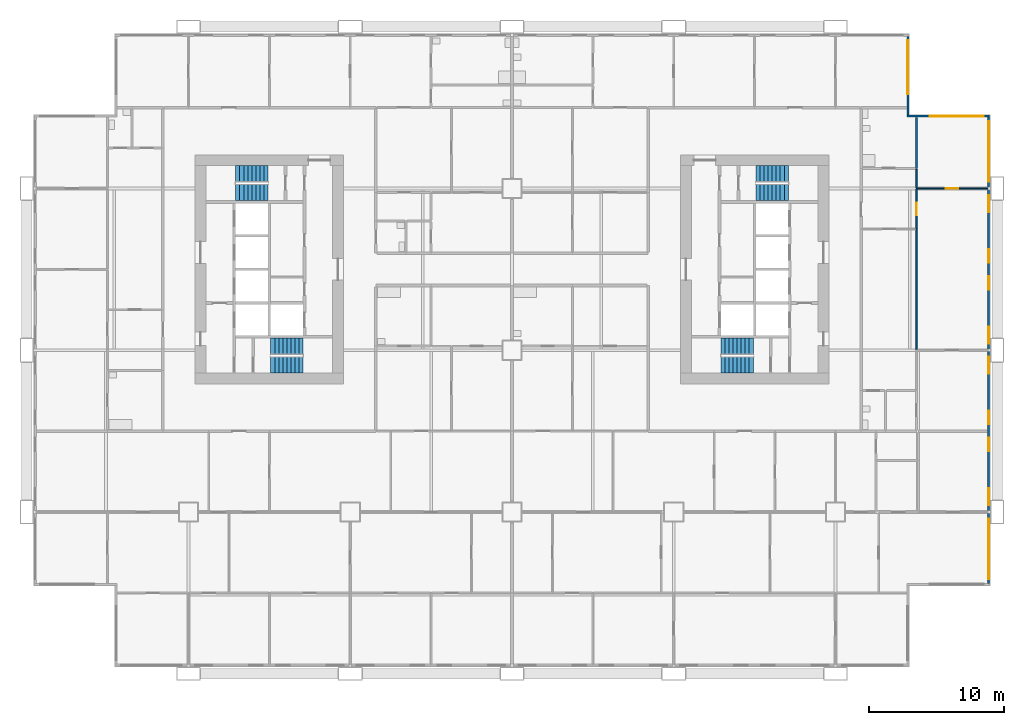
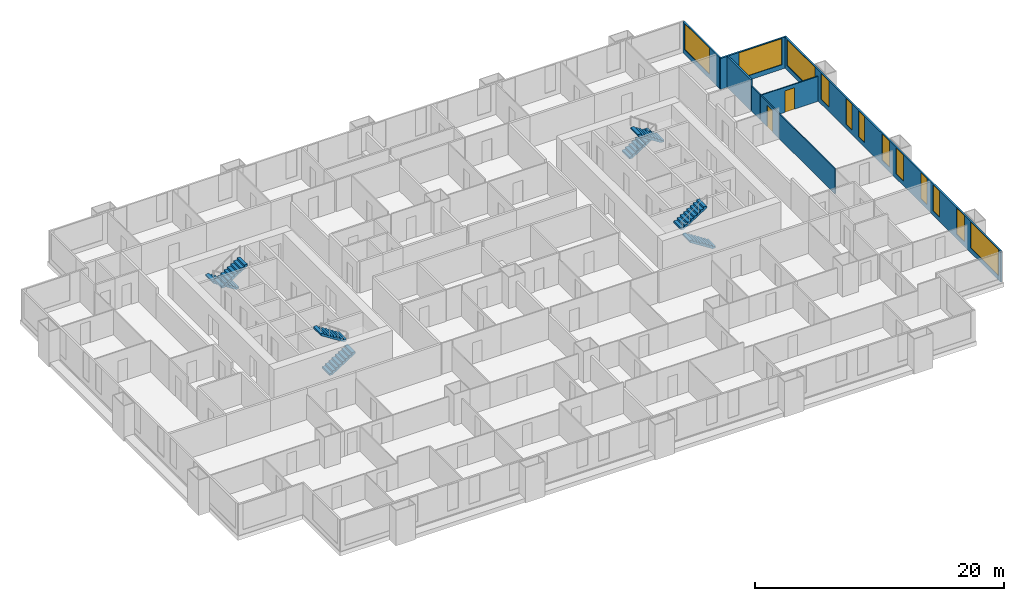
# One storey, part 12 of 14: 12 windows, 8 stair flights, 8 walls, 2 doors, 14 openings, 4 elements without a shape of their own.
"""IFC4 building model written with IfcOpenShell, lengths in metres."""

from ifc_helpers import new_model, si_unit, direction, frame, frame_2d, origin, place, context, subcontext, project, spatial, polyline, rectangle, outline, extrude, material, layer, layer_set, type_object, element, fill, aggregate, save


model = new_model("IFC4")

# Units and contexts
model_context = context("Model", 3, precision=1e-05, world=origin(), true_north=direction((0.0, 1.0)))
body_context = subcontext(model_context, "Body", "Model", "MODEL_VIEW")
ifc_project = project(units=[si_unit("LENGTHUNIT", "METRE"), si_unit("AREAUNIT", "SQUARE_METRE"), si_unit("VOLUMEUNIT", "CUBIC_METRE"), si_unit("PLANEANGLEUNIT", "RADIAN"), si_unit("MASSUNIT", "GRAM", prefix="KILO")], contexts=[model_context])

# Site, building, storey
site_placement = place(None, origin())
site = spatial("IfcSite", under=ifc_project, at=site_placement, CompositionType="ELEMENT")
building_placement = place(site_placement, origin())
building = spatial("IfcBuilding", under=site, at=building_placement, Name="Kitamizu Gate Tower and Museum", CompositionType="ELEMENT")
storey_placement = place(building_placement, frame((0.0, 0.0, 33.449951171875)))
storey = spatial("IfcBuildingStorey", under=building, at=storey_placement, Name="L06", CompositionType="ELEMENT", Elevation=33.449951171875)

# Wall, opening, door
ifc_material_1 = material(Name="Gypsum board on galvanised stud")
ifc_layer_1 = layer(ifc_material_1, 0.10009765625)
ifc_layer_set_1 = layer_set([ifc_layer_1], Name="Gypsum board on galvanised stud")
wall_type_1 = type_object("IfcWallType", Name="Partition 100 NOT RATED", PredefinedType="PARTITIONING", material=ifc_layer_set_1)
wall_1_placement = place(storey_placement, frame((71.280029296875, 36.0, 0.0), z_axis=(0.0, 0.0, 1.0), x_axis=(-1.0, 0.0, 0.0)))
wall_1 = element("IfcWall", 1, at=wall_1_placement, inside=storey, type_object=wall_type_1, Name="Partition L06-129", PredefinedType="PARTITIONING", context=body_context, shape_type="SweptSolid", body=[
    extrude(rectangle(XDim=5.280029296875, YDim=0.10009765625, at=frame_2d((2.64013671875, 0.0))), origin(), (0.0, 0.0, 1.0), 2.449951171875),
])
opening_1_placement = place(wall_1_placement, frame((2.18994140625, 0.0, 0.0)))
opening_1 = element("IfcOpeningElement", 2, at=opening_1_placement, cuts=wall_1, Name="Opening L06-053", PredefinedType="OPENING", context=body_context, shape_type="SweptSolid", body=[
    extrude(rectangle(XDim=0.89990234375, YDim=2.10009765625, at=frame_2d((0.449951171875, 1.050048828125))), frame((0.0, 0.06005859375, 0.0), z_axis=(0.0, -1.0, 0.0), x_axis=(1.0, 0.0, 0.0)), (0.0, 0.0, 1.0), 0.1201171875),
])
ifc_material_2 = material(Name="Timber door set", Category="wood")
door_type = type_object("IfcDoorType", Name="Room door 900", OperationType="NOTDEFINED", PredefinedType="DOOR", material=ifc_material_2)
door_1_placement = place(opening_1_placement, frame((0.89990234375, 0.0, 0.0), x_axis=(-1.0, 0.0, 0.0)))
door_1 = element("IfcDoor", 3, at=door_1_placement, inside=storey, type_object=door_type, Name="Door L06-053", OperationType="SINGLE_SWING_RIGHT", OverallHeight=2.10009765625, OverallWidth=0.89990234375, PredefinedType="DOOR", context=body_context, shape_type="SweptSolid", body=[
    extrude(rectangle(XDim=0.89990234375, YDim=2.10009765625, at=frame_2d((0.449951171875, 1.050048828125))), frame((0.0, 0.02490234375, 0.0), z_axis=(0.0, -1.0, 0.0), x_axis=(1.0, 0.0, 0.0)), (0.0, 0.0, 1.0), 0.050048828125),
])
fill(opening_1, door_1)

# Wall
wall_2_placement = place(storey_placement, frame((66.0, 33.0, 0.0), z_axis=(0.0, 0.0, 1.0), x_axis=(0.0, -1.0, 0.0)))
element("IfcWall", 4, at=wall_2_placement, inside=storey, type_object=wall_type_1, Name="Partition L06-130", PredefinedType="PARTITIONING", context=body_context, shape_type="SweptSolid", body=[
    extrude(rectangle(XDim=8.949951171875, YDim=0.10009765625, at=frame_2d((4.47509765625, 0.0))), origin(), (0.0, 0.0, 1.0), 2.449951171875),
])

# Wall, opening, door
wall_3_placement = place(storey_placement, frame((66.0, 35.949951171875, 0.0), z_axis=(0.0, 0.0, 1.0), x_axis=(0.0, -1.0, 0.0)))
wall_3 = element("IfcWall", 5, at=wall_3_placement, inside=storey, type_object=wall_type_1, Name="Partition L06-131", PredefinedType="PARTITIONING", context=body_context, shape_type="SweptSolid", body=[
    extrude(rectangle(XDim=2.949951171875, YDim=0.10009765625, at=frame_2d((1.47509765625, 0.0))), origin(), (0.0, 0.0, 1.0), 2.449951171875),
])
opening_2_placement = place(wall_3_placement, frame((1.02490234375, 0.0, 0.0)))
opening_2 = element("IfcOpeningElement", 6, at=opening_2_placement, cuts=wall_3, Name="Opening L06-049", PredefinedType="OPENING", context=body_context, shape_type="SweptSolid", body=[
    extrude(rectangle(XDim=0.89990234375, YDim=2.10009765625, at=frame_2d((0.449951171875, 1.050048828125))), frame((0.0, 0.06005859375, 0.0), z_axis=(0.0, -1.0, 0.0), x_axis=(1.0, 0.0, 0.0)), (0.0, 0.0, 1.0), 0.1201171875),
])
door_2_placement = place(opening_2_placement, origin())
door_2 = element("IfcDoor", 7, at=door_2_placement, inside=storey, type_object=door_type, Name="Door L06-049", OperationType="SINGLE_SWING_RIGHT", OverallHeight=2.10009765625, OverallWidth=0.89990234375, PredefinedType="DOOR", context=body_context, shape_type="SweptSolid", body=[
    extrude(rectangle(XDim=0.89990234375, YDim=2.10009765625, at=frame_2d((0.449951171875, 1.050048828125))), frame((0.0, 0.02490234375, 0.0), z_axis=(0.0, -1.0, 0.0), x_axis=(1.0, 0.0, 0.0)), (0.0, 0.0, 1.0), 0.050048828125),
])
fill(opening_2, door_2)

# Walls
wall_4_placement = place(storey_placement, frame((66.0, 37.425048828125, 0.0), z_axis=(0.0, 0.0, 1.0), x_axis=(0.0, -1.0, 0.0)))
element("IfcWall", 8, at=wall_4_placement, inside=storey, type_object=wall_type_1, Name="Partition L06-132", PredefinedType="PARTITIONING", context=body_context, shape_type="SweptSolid", body=[
    extrude(rectangle(XDim=1.375, YDim=0.10009765625, at=frame_2d((0.6875, 0.0))), origin(), (0.0, 0.0, 1.0), 2.449951171875),
])
ifc_material_3 = material(Name="Gypsum board on galvanised stud")
ifc_layer_2 = layer(ifc_material_3, 0.14990234375)
ifc_layer_set_2 = layer_set([ifc_layer_2], Name="Gypsum board on galvanised stud")
wall_type_2 = type_object("IfcWallType", Name="Partition 150", PredefinedType="PARTITIONING", material=ifc_layer_set_2)
wall_5_placement = place(storey_placement, frame((66.0, 41.280029296875, 0.0), z_axis=(0.0, 0.0, 1.0), x_axis=(0.0, -1.0, 0.0)))
element("IfcWall", 9, at=wall_5_placement, inside=storey, type_object=wall_type_2, Name="Partition L06-133", PredefinedType="PARTITIONING", context=body_context, shape_type="SweptSolid", body=[
    extrude(rectangle(XDim=3.780029296875, YDim=0.14990234375, at=frame_2d((1.89013671875, 0.0))), origin(), (0.0, 0.0, 1.0), 3.050048828125),
])

# Wall, openings, windows
ifc_material_4 = material(Name="Bronze anodised aluminium frame with insulated spandrel and tinted glass", Category="aluminium")
ifc_layer_3 = layer(ifc_material_4, 0.14990234375)
ifc_layer_set_3 = layer_set([ifc_layer_3], Name="Bronze anodised aluminium frame with insulated spandrel and tinted glass")
wall_type_3 = type_object("IfcWallType", Name="WINDOW WALL 150 BRONZE FRAME EI 30", PredefinedType="ELEMENTEDWALL", material=ifc_layer_set_3)
wall_6_placement = place(storey_placement, frame((71.364990234375, 6.7099609375, 0.0), z_axis=(0.0, 0.0, 1.0), x_axis=(0.0, 1.0, 0.0)))
wall_6 = element("IfcWall", 10, at=wall_6_placement, inside=storey, type_object=wall_type_3, Name="Window wall east L06", PredefinedType="ELEMENTEDWALL", context=body_context, shape_type="SweptSolid", body=[
    extrude(rectangle(XDim=34.580078125, YDim=0.14990234375, at=frame_2d((17.2900390625, 0.0))), origin(), (0.0, 0.0, 1.0), 3.050048828125),
])
opening_3_placement = place(wall_6_placement, frame((0.2900390625, 0.0, 0.449951171875)))
opening_3 = element("IfcOpeningElement", 11, at=opening_3_placement, cuts=wall_6, Name="Opening W15", PredefinedType="OPENING", context=body_context, shape_type="SweptSolid", body=[
    extrude(rectangle(XDim=4.5, YDim=2.550048828125, at=frame_2d((2.25, 1.27490234375))), frame((0.0, 0.0849609375, 0.0), z_axis=(0.0, -1.0, 0.0), x_axis=(1.0, 0.0, 0.0)), (0.0, 0.0, 1.0), 0.169921875),
])
opening_4_placement = place(wall_6_placement, frame((5.7900390625, 0.0, 0.449951171875)))
opening_4 = element("IfcOpeningElement", 12, at=opening_4_placement, cuts=wall_6, Name="Opening W27", PredefinedType="OPENING", context=body_context, shape_type="SweptSolid", body=[
    extrude(rectangle(XDim=1.25, YDim=2.550048828125, at=frame_2d((0.625, 1.27490234375))), frame((0.0, 0.0849609375, 0.0), z_axis=(0.0, -1.0, 0.0), x_axis=(1.0, 0.0, 0.0)), (0.0, 0.0, 1.0), 0.169921875),
])
opening_5_placement = place(wall_6_placement, frame((9.7900390625, 0.0, 0.449951171875)))
opening_5 = element("IfcOpeningElement", 13, at=opening_5_placement, cuts=wall_6, Name="Opening W26", PredefinedType="OPENING", context=body_context, shape_type="SweptSolid", body=[
    extrude(rectangle(XDim=1.0, YDim=2.550048828125, at=frame_2d((0.5, 1.27490234375))), frame((0.0, 0.0849609375, 0.0), z_axis=(0.0, -1.0, 0.0), x_axis=(1.0, 0.0, 0.0)), (0.0, 0.0, 1.0), 0.169921875),
])
opening_6_placement = place(wall_6_placement, frame((11.7900390625, 0.0, 0.449951171875)))
opening_6 = element("IfcOpeningElement", 14, at=opening_6_placement, cuts=wall_6, Name="Opening W26", PredefinedType="OPENING", context=body_context, shape_type="SweptSolid", body=[
    extrude(rectangle(XDim=1.0, YDim=2.550048828125, at=frame_2d((0.5, 1.27490234375))), frame((0.0, 0.0849609375, 0.0), z_axis=(0.0, -1.0, 0.0), x_axis=(1.0, 0.0, 0.0)), (0.0, 0.0, 1.0), 0.169921875),
])
opening_7_placement = place(wall_6_placement, frame((15.5400390625, 0.0, 0.449951171875)))
opening_7 = element("IfcOpeningElement", 15, at=opening_7_placement, cuts=wall_6, Name="Opening W27", PredefinedType="OPENING", context=body_context, shape_type="SweptSolid", body=[
    extrude(rectangle(XDim=1.25, YDim=2.550048828125, at=frame_2d((0.625, 1.27490234375))), frame((0.0, 0.0849609375, 0.0), z_axis=(0.0, -1.0, 0.0), x_axis=(1.0, 0.0, 0.0)), (0.0, 0.0, 1.0), 0.169921875),
])
opening_8_placement = place(wall_6_placement, frame((17.7900390625, 0.0, 0.449951171875)))
opening_8 = element("IfcOpeningElement", 16, at=opening_8_placement, cuts=wall_6, Name="Opening W27", PredefinedType="OPENING", context=body_context, shape_type="SweptSolid", body=[
    extrude(rectangle(XDim=1.25, YDim=2.550048828125, at=frame_2d((0.625, 1.27490234375))), frame((0.0, 0.0849609375, 0.0), z_axis=(0.0, -1.0, 0.0), x_axis=(1.0, 0.0, 0.0)), (0.0, 0.0, 1.0), 0.169921875),
])
opening_9_placement = place(wall_6_placement, frame((21.7900390625, 0.0, 0.449951171875)))
opening_9 = element("IfcOpeningElement", 17, at=opening_9_placement, cuts=wall_6, Name="Opening W26", PredefinedType="OPENING", context=body_context, shape_type="SweptSolid", body=[
    extrude(rectangle(XDim=1.0, YDim=2.550048828125, at=frame_2d((0.5, 1.27490234375))), frame((0.0, 0.0849609375, 0.0), z_axis=(0.0, -1.0, 0.0), x_axis=(1.0, 0.0, 0.0)), (0.0, 0.0, 1.0), 0.169921875),
])
opening_10_placement = place(wall_6_placement, frame((23.7900390625, 0.0, 0.449951171875)))
opening_10 = element("IfcOpeningElement", 18, at=opening_10_placement, cuts=wall_6, Name="Opening W26", PredefinedType="OPENING", context=body_context, shape_type="SweptSolid", body=[
    extrude(rectangle(XDim=1.0, YDim=2.550048828125, at=frame_2d((0.5, 1.27490234375))), frame((0.0, 0.0849609375, 0.0), z_axis=(0.0, -1.0, 0.0), x_axis=(1.0, 0.0, 0.0)), (0.0, 0.0, 1.0), 0.169921875),
])
opening_11_placement = place(wall_6_placement, frame((27.5400390625, 0.0, 0.449951171875)))
opening_11 = element("IfcOpeningElement", 19, at=opening_11_placement, cuts=wall_6, Name="Opening W27", PredefinedType="OPENING", context=body_context, shape_type="SweptSolid", body=[
    extrude(rectangle(XDim=1.25, YDim=2.550048828125, at=frame_2d((0.625, 1.27490234375))), frame((0.0, 0.0849609375, 0.0), z_axis=(0.0, -1.0, 0.0), x_axis=(1.0, 0.0, 0.0)), (0.0, 0.0, 1.0), 0.169921875),
])
opening_12_placement = place(wall_6_placement, frame((29.7900390625, 0.0, 0.449951171875)))
opening_12 = element("IfcOpeningElement", 20, at=opening_12_placement, cuts=wall_6, Name="Opening W15", PredefinedType="OPENING", context=body_context, shape_type="SweptSolid", body=[
    extrude(rectangle(XDim=4.5, YDim=2.550048828125, at=frame_2d((2.25, 1.27490234375))), frame((0.0, 0.0849609375, 0.0), z_axis=(0.0, -1.0, 0.0), x_axis=(1.0, 0.0, 0.0)), (0.0, 0.0, 1.0), 0.169921875),
])
ifc_material_5 = material(Name="Bronze anodised aluminium frame, tinted triple glazing", Category="aluminium")
window_type_1 = type_object("IfcWindowType", Name="WINDOW 1000 x 2550 SILL 450", PartitioningType="SINGLE_PANEL", PredefinedType="WINDOW", material=ifc_material_5)
window_1_placement = place(opening_5_placement, origin())
window_1 = element("IfcWindow", 21, at=window_1_placement, inside=storey, type_object=window_type_1, Name="Window W26 L06", OverallHeight=2.550048828125, OverallWidth=1.0, PartitioningType="SINGLE_PANEL", PredefinedType="WINDOW", context=body_context, shape_type="SweptSolid", body=[
    extrude(rectangle(XDim=1.0, YDim=2.550048828125, at=frame_2d((0.5, 1.27490234375))), frame((0.0, 0.030029296875, 0.0), z_axis=(0.0, -1.0, 0.0), x_axis=(1.0, 0.0, 0.0)), (0.0, 0.0, 1.0), 0.06005859375),
])
fill(opening_5, window_1)
window_2_placement = place(opening_6_placement, origin())
window_2 = element("IfcWindow", 22, at=window_2_placement, inside=storey, type_object=window_type_1, Name="Window W26 L06", OverallHeight=2.550048828125, OverallWidth=1.0, PartitioningType="SINGLE_PANEL", PredefinedType="WINDOW", context=body_context, shape_type="SweptSolid", body=[
    extrude(rectangle(XDim=1.0, YDim=2.550048828125, at=frame_2d((0.5, 1.27490234375))), frame((0.0, 0.030029296875, 0.0), z_axis=(0.0, -1.0, 0.0), x_axis=(1.0, 0.0, 0.0)), (0.0, 0.0, 1.0), 0.06005859375),
])
fill(opening_6, window_2)
window_3_placement = place(opening_9_placement, origin())
window_3 = element("IfcWindow", 23, at=window_3_placement, inside=storey, type_object=window_type_1, Name="Window W26 L06", OverallHeight=2.550048828125, OverallWidth=1.0, PartitioningType="SINGLE_PANEL", PredefinedType="WINDOW", context=body_context, shape_type="SweptSolid", body=[
    extrude(rectangle(XDim=1.0, YDim=2.550048828125, at=frame_2d((0.5, 1.27490234375))), frame((0.0, 0.030029296875, 0.0), z_axis=(0.0, -1.0, 0.0), x_axis=(1.0, 0.0, 0.0)), (0.0, 0.0, 1.0), 0.06005859375),
])
fill(opening_9, window_3)
window_4_placement = place(opening_10_placement, origin())
window_4 = element("IfcWindow", 24, at=window_4_placement, inside=storey, type_object=window_type_1, Name="Window W26 L06", OverallHeight=2.550048828125, OverallWidth=1.0, PartitioningType="SINGLE_PANEL", PredefinedType="WINDOW", context=body_context, shape_type="SweptSolid", body=[
    extrude(rectangle(XDim=1.0, YDim=2.550048828125, at=frame_2d((0.5, 1.27490234375))), frame((0.0, 0.030029296875, 0.0), z_axis=(0.0, -1.0, 0.0), x_axis=(1.0, 0.0, 0.0)), (0.0, 0.0, 1.0), 0.06005859375),
])
fill(opening_10, window_4)
ifc_material_6 = material(Name="Bronze anodised aluminium frame, tinted triple glazing", Category="aluminium")
window_type_2 = type_object("IfcWindowType", Name="WINDOW 1250 x 2550 SILL 450", PartitioningType="SINGLE_PANEL", PredefinedType="WINDOW", material=ifc_material_6)
window_5_placement = place(opening_4_placement, origin())
window_5 = element("IfcWindow", 25, at=window_5_placement, inside=storey, type_object=window_type_2, Name="Window W27 L06", OverallHeight=2.550048828125, OverallWidth=1.25, PartitioningType="SINGLE_PANEL", PredefinedType="WINDOW", context=body_context, shape_type="SweptSolid", body=[
    extrude(rectangle(XDim=1.25, YDim=2.550048828125, at=frame_2d((0.625, 1.27490234375))), frame((0.0, 0.030029296875, 0.0), z_axis=(0.0, -1.0, 0.0), x_axis=(1.0, 0.0, 0.0)), (0.0, 0.0, 1.0), 0.06005859375),
])
fill(opening_4, window_5)
window_6_placement = place(opening_7_placement, origin())
window_6 = element("IfcWindow", 26, at=window_6_placement, inside=storey, type_object=window_type_2, Name="Window W27 L06", OverallHeight=2.550048828125, OverallWidth=1.25, PartitioningType="SINGLE_PANEL", PredefinedType="WINDOW", context=body_context, shape_type="SweptSolid", body=[
    extrude(rectangle(XDim=1.25, YDim=2.550048828125, at=frame_2d((0.625, 1.27490234375))), frame((0.0, 0.030029296875, 0.0), z_axis=(0.0, -1.0, 0.0), x_axis=(1.0, 0.0, 0.0)), (0.0, 0.0, 1.0), 0.06005859375),
])
fill(opening_7, window_6)
window_7_placement = place(opening_8_placement, origin())
window_7 = element("IfcWindow", 27, at=window_7_placement, inside=storey, type_object=window_type_2, Name="Window W27 L06", OverallHeight=2.550048828125, OverallWidth=1.25, PartitioningType="SINGLE_PANEL", PredefinedType="WINDOW", context=body_context, shape_type="SweptSolid", body=[
    extrude(rectangle(XDim=1.25, YDim=2.550048828125, at=frame_2d((0.625, 1.27490234375))), frame((0.0, 0.030029296875, 0.0), z_axis=(0.0, -1.0, 0.0), x_axis=(1.0, 0.0, 0.0)), (0.0, 0.0, 1.0), 0.06005859375),
])
fill(opening_8, window_7)
window_8_placement = place(opening_11_placement, origin())
window_8 = element("IfcWindow", 28, at=window_8_placement, inside=storey, type_object=window_type_2, Name="Window W27 L06", OverallHeight=2.550048828125, OverallWidth=1.25, PartitioningType="SINGLE_PANEL", PredefinedType="WINDOW", context=body_context, shape_type="SweptSolid", body=[
    extrude(rectangle(XDim=1.25, YDim=2.550048828125, at=frame_2d((0.625, 1.27490234375))), frame((0.0, 0.030029296875, 0.0), z_axis=(0.0, -1.0, 0.0), x_axis=(1.0, 0.0, 0.0)), (0.0, 0.0, 1.0), 0.06005859375),
])
fill(opening_11, window_8)
ifc_material_7 = material(Name="Bronze anodised aluminium frame, tinted triple glazing", Category="aluminium")
window_type_3 = type_object("IfcWindowType", Name="WINDOW 4500 x 2550 SILL 450", PartitioningType="SINGLE_PANEL", PredefinedType="WINDOW", material=ifc_material_7)
window_9_placement = place(opening_3_placement, origin())
window_9 = element("IfcWindow", 29, at=window_9_placement, inside=storey, type_object=window_type_3, Name="Window W15 L06", OverallHeight=2.550048828125, OverallWidth=4.5, PartitioningType="SINGLE_PANEL", PredefinedType="WINDOW", context=body_context, shape_type="SweptSolid", body=[
    extrude(rectangle(XDim=4.5, YDim=2.550048828125, at=frame_2d((2.25, 1.27490234375))), frame((0.0, 0.030029296875, 0.0), z_axis=(0.0, -1.0, 0.0), x_axis=(1.0, 0.0, 0.0)), (0.0, 0.0, 1.0), 0.06005859375),
])
fill(opening_3, window_9)
window_10_placement = place(opening_12_placement, origin())
window_10 = element("IfcWindow", 30, at=window_10_placement, inside=storey, type_object=window_type_3, Name="Window W15 L06", OverallHeight=2.550048828125, OverallWidth=4.5, PartitioningType="SINGLE_PANEL", PredefinedType="WINDOW", context=body_context, shape_type="SweptSolid", body=[
    extrude(rectangle(XDim=4.5, YDim=2.550048828125, at=frame_2d((2.25, 1.27490234375))), frame((0.0, 0.030029296875, 0.0), z_axis=(0.0, -1.0, 0.0), x_axis=(1.0, 0.0, 0.0)), (0.0, 0.0, 1.0), 0.06005859375),
])
fill(opening_12, window_10)

# Wall, opening, window
wall_7_placement = place(storey_placement, frame((65.2900390625, 41.364990234375, 0.0), z_axis=(0.0, 0.0, 1.0), x_axis=(1.0, 0.0, 0.0)))
wall_7 = element("IfcWall", 31, at=wall_7_placement, inside=storey, type_object=wall_type_3, Name="Window wall north L06", PredefinedType="ELEMENTEDWALL", context=body_context, shape_type="SweptSolid", body=[
    extrude(rectangle(XDim=6.14990234375, YDim=0.14990234375, at=frame_2d((3.074951171875, 0.0))), origin(), (0.0, 0.0, 1.0), 3.050048828125),
])
opening_13_placement = place(wall_7_placement, frame((1.7099609375, 0.0, 0.449951171875)))
opening_13 = element("IfcOpeningElement", 32, at=opening_13_placement, cuts=wall_7, Name="Opening W16", PredefinedType="OPENING", context=body_context, shape_type="SweptSolid", body=[
    extrude(rectangle(XDim=4.0, YDim=2.550048828125, at=frame_2d((2.0, 1.27490234375))), frame((0.0, 0.0849609375, 0.0), z_axis=(0.0, -1.0, 0.0), x_axis=(1.0, 0.0, 0.0)), (0.0, 0.0, 1.0), 0.169921875),
])
ifc_material_8 = material(Name="Bronze anodised aluminium frame, tinted triple glazing", Category="aluminium")
window_type_4 = type_object("IfcWindowType", Name="WINDOW 4000 x 2550 SILL 450", PartitioningType="SINGLE_PANEL", PredefinedType="WINDOW", material=ifc_material_8)
window_11_placement = place(opening_13_placement, origin())
window_11 = element("IfcWindow", 33, at=window_11_placement, inside=storey, type_object=window_type_4, Name="Window W16 L06", OverallHeight=2.550048828125, OverallWidth=4.0, PartitioningType="SINGLE_PANEL", PredefinedType="WINDOW", context=body_context, shape_type="SweptSolid", body=[
    extrude(rectangle(XDim=4.0, YDim=2.550048828125, at=frame_2d((2.0, 1.27490234375))), frame((0.0, 0.030029296875, 0.0), z_axis=(0.0, -1.0, 0.0), x_axis=(1.0, 0.0, 0.0)), (0.0, 0.0, 1.0), 0.06005859375),
])
fill(opening_13, window_11)

wall_8_placement = place(storey_placement, frame((65.364990234375, 41.43994140625, 0.0), z_axis=(0.0, 0.0, 1.0), x_axis=(0.0, 1.0, 0.0)))
wall_8 = element("IfcWall", 34, at=wall_8_placement, inside=storey, type_object=wall_type_3, Name="Window wall east L06", PredefinedType="ELEMENTEDWALL", context=body_context, shape_type="SweptSolid", body=[
    extrude(rectangle(XDim=5.85009765625, YDim=0.14990234375, at=frame_2d((2.925048828125, 0.0))), origin(), (0.0, 0.0, 1.0), 3.050048828125),
])
opening_14_placement = place(wall_8_placement, frame((1.56005859375, 0.0, 0.449951171875)))
opening_14 = element("IfcOpeningElement", 35, at=opening_14_placement, cuts=wall_8, Name="Opening W16", PredefinedType="OPENING", context=body_context, shape_type="SweptSolid", body=[
    extrude(rectangle(XDim=4.0, YDim=2.550048828125, at=frame_2d((2.0, 1.27490234375))), frame((0.0, 0.0849609375, 0.0), z_axis=(0.0, -1.0, 0.0), x_axis=(1.0, 0.0, 0.0)), (0.0, 0.0, 1.0), 0.169921875),
])
window_12_placement = place(opening_14_placement, origin())
window_12 = element("IfcWindow", 36, at=window_12_placement, inside=storey, type_object=window_type_4, Name="Window W16 L06", OverallHeight=2.550048828125, OverallWidth=4.0, PartitioningType="SINGLE_PANEL", PredefinedType="WINDOW", context=body_context, shape_type="SweptSolid", body=[
    extrude(rectangle(XDim=4.0, YDim=2.550048828125, at=frame_2d((2.0, 1.27490234375))), frame((0.0, 0.030029296875, 0.0), z_axis=(0.0, -1.0, 0.0), x_axis=(1.0, 0.0, 0.0)), (0.0, 0.0, 1.0), 0.06005859375),
])
fill(opening_14, window_12)

# Stair, stair flights
ifc_material_9 = material(Name="Concrete Fc42", Category="concrete")
stair_type = type_object("IfcStairType", Name="Exit stair 1200 wide 192 rise 300 going", PredefinedType="HALF_TURN_STAIR", material=ifc_material_9)
stair_1_placement = place(storey_placement, origin())
stair_1 = element("IfcStair", 37, at=stair_1_placement, inside=storey, type_object=stair_type, Name="Exit stair ST1", PredefinedType="HALF_TURN_STAIR")
ifc_material_10 = material(Name="Concrete Fc42", Category="concrete")
stair_flight_type = type_object("IfcStairFlightType", Name="Stair flight 1200 wide 192 rise 300 going", PredefinedType="STRAIGHT", material=ifc_material_10)
stair_flight_1_placement = place(storey_placement, frame((18.10009765625, 22.89990234375, 0.0), z_axis=(0.0, 0.0, 1.0), x_axis=(1.0, 0.0, 0.0)))
stair_flight_1 = element("IfcStairFlight", 38, at=stair_flight_1_placement, type_object=stair_flight_type, Name="ST1 flight 1", NumberOfRisers=9, NumberOfTreads=8, PredefinedType="STRAIGHT", RiserHeight=0.191666667, TreadLength=0.3, context=body_context, shape_type="SweptSolid", body=[
    extrude(outline(polyline([(0.0, 0.0), (0.0, 0.191650390625), (0.300048828125, 0.191650390625), (0.300048828125, 0.38330078125), (0.60009765625, 0.38330078125), (0.60009765625, 0.574951171875), (0.89990234375, 0.574951171875), (0.89990234375, 0.7666015625), (1.199951171875, 0.7666015625), (1.199951171875, 0.958251953125), (1.5, 0.958251953125), (1.5, 1.14990234375), (1.800048828125, 1.14990234375), (1.800048828125, 1.341552734375), (2.10009765625, 1.341552734375), (2.10009765625, 1.533447265625), (2.39990234375, 1.533447265625), (2.39990234375, 1.72509765625), (2.39990234375, 1.35546875), (0.2783203125, 0.0), (0.0, 0.0)])), frame((0.0, 0.60009765625, 0.0), z_axis=(0.0, -1.0, 0.0), x_axis=(1.0, 0.0, 0.0)), (0.0, 0.0, 1.0), 1.199951171875),
])
stair_flight_2_placement = place(storey_placement, frame((20.5, 24.300048828125, 1.72509765625), z_axis=(0.0, 0.0, 1.0), x_axis=(-1.0, 0.0, 0.0)))
stair_flight_2 = element("IfcStairFlight", 39, at=stair_flight_2_placement, type_object=stair_flight_type, Name="ST1 flight 2", NumberOfRisers=9, NumberOfTreads=8, PredefinedType="STRAIGHT", RiserHeight=0.191666667, TreadLength=0.3, context=body_context, shape_type="SweptSolid", body=[
    extrude(outline(polyline([(0.0, 0.0), (0.0, 0.191650390625), (0.300048828125, 0.191650390625), (0.300048828125, 0.38330078125), (0.60009765625, 0.38330078125), (0.60009765625, 0.574951171875), (0.89990234375, 0.574951171875), (0.89990234375, 0.7666015625), (1.199951171875, 0.7666015625), (1.199951171875, 0.958251953125), (1.5, 0.958251953125), (1.5, 1.14990234375), (1.800048828125, 1.14990234375), (1.800048828125, 1.341552734375), (2.10009765625, 1.341552734375), (2.10009765625, 1.533447265625), (2.39990234375, 1.533447265625), (2.39990234375, 1.72509765625), (2.39990234375, 1.35546875), (0.2783203125, 0.0), (0.0, 0.0)])), frame((0.0, 0.60009765625, 0.0), z_axis=(0.0, -1.0, 0.0), x_axis=(1.0, 0.0, 0.0)), (0.0, 0.0, 1.0), 1.199951171875),
])
aggregate(stair_1, [stair_flight_1, stair_flight_2])

stair_2_placement = place(storey_placement, origin())
stair_2 = element("IfcStair", 40, at=stair_2_placement, inside=storey, type_object=stair_type, Name="Exit stair ST2", PredefinedType="HALF_TURN_STAIR")
stair_flight_3_placement = place(storey_placement, frame((17.89990234375, 37.10009765625, 0.0), z_axis=(0.0, 0.0, 1.0), x_axis=(-1.0, 0.0, 0.0)))
stair_flight_3 = element("IfcStairFlight", 41, at=stair_flight_3_placement, type_object=stair_flight_type, Name="ST2 flight 1", NumberOfRisers=9, NumberOfTreads=8, PredefinedType="STRAIGHT", RiserHeight=0.191666667, TreadLength=0.3, context=body_context, shape_type="SweptSolid", body=[
    extrude(outline(polyline([(0.0, 0.0), (0.0, 0.191650390625), (0.300048828125, 0.191650390625), (0.300048828125, 0.38330078125), (0.60009765625, 0.38330078125), (0.60009765625, 0.574951171875), (0.89990234375, 0.574951171875), (0.89990234375, 0.7666015625), (1.199951171875, 0.7666015625), (1.199951171875, 0.958251953125), (1.5, 0.958251953125), (1.5, 1.14990234375), (1.800048828125, 1.14990234375), (1.800048828125, 1.341552734375), (2.10009765625, 1.341552734375), (2.10009765625, 1.533447265625), (2.39990234375, 1.533447265625), (2.39990234375, 1.72509765625), (2.39990234375, 1.35546875), (0.2783203125, 0.0), (0.0, 0.0)])), frame((0.0, 0.60009765625, 0.0), z_axis=(0.0, -1.0, 0.0), x_axis=(1.0, 0.0, 0.0)), (0.0, 0.0, 1.0), 1.199951171875),
])
stair_flight_4_placement = place(storey_placement, frame((15.5, 35.699951171875, 1.72509765625), z_axis=(0.0, 0.0, 1.0), x_axis=(1.0, 0.0, 0.0)))
stair_flight_4 = element("IfcStairFlight", 42, at=stair_flight_4_placement, type_object=stair_flight_type, Name="ST2 flight 2", NumberOfRisers=9, NumberOfTreads=8, PredefinedType="STRAIGHT", RiserHeight=0.191666667, TreadLength=0.3, context=body_context, shape_type="SweptSolid", body=[
    extrude(outline(polyline([(0.0, 0.0), (0.0, 0.191650390625), (0.300048828125, 0.191650390625), (0.300048828125, 0.38330078125), (0.60009765625, 0.38330078125), (0.60009765625, 0.574951171875), (0.89990234375, 0.574951171875), (0.89990234375, 0.7666015625), (1.199951171875, 0.7666015625), (1.199951171875, 0.958251953125), (1.5, 0.958251953125), (1.5, 1.14990234375), (1.800048828125, 1.14990234375), (1.800048828125, 1.341552734375), (2.10009765625, 1.341552734375), (2.10009765625, 1.533447265625), (2.39990234375, 1.533447265625), (2.39990234375, 1.72509765625), (2.39990234375, 1.35546875), (0.2783203125, 0.0), (0.0, 0.0)])), frame((0.0, 0.60009765625, 0.0), z_axis=(0.0, -1.0, 0.0), x_axis=(1.0, 0.0, 0.0)), (0.0, 0.0, 1.0), 1.199951171875),
])
aggregate(stair_2, [stair_flight_3, stair_flight_4])

stair_3_placement = place(storey_placement, origin())
stair_3 = element("IfcStair", 43, at=stair_3_placement, inside=storey, type_object=stair_type, Name="Exit stair ST3", PredefinedType="HALF_TURN_STAIR")
stair_flight_5_placement = place(storey_placement, frame((53.89990234375, 22.89990234375, 0.0), z_axis=(0.0, 0.0, 1.0), x_axis=(-1.0, 0.0, 0.0)))
stair_flight_5 = element("IfcStairFlight", 44, at=stair_flight_5_placement, type_object=stair_flight_type, Name="ST3 flight 1", NumberOfRisers=9, NumberOfTreads=8, PredefinedType="STRAIGHT", RiserHeight=0.191666667, TreadLength=0.3, context=body_context, shape_type="SweptSolid", body=[
    extrude(outline(polyline([(0.0, 0.0), (0.0, 0.191650390625), (0.300048828125, 0.191650390625), (0.300048828125, 0.38330078125), (0.60009765625, 0.38330078125), (0.60009765625, 0.574951171875), (0.89990234375, 0.574951171875), (0.89990234375, 0.7666015625), (1.199951171875, 0.7666015625), (1.199951171875, 0.958251953125), (1.5, 0.958251953125), (1.5, 1.14990234375), (1.800048828125, 1.14990234375), (1.800048828125, 1.341552734375), (2.10009765625, 1.341552734375), (2.10009765625, 1.533447265625), (2.39990234375, 1.533447265625), (2.39990234375, 1.72509765625), (2.39990234375, 1.35546875), (0.2783203125, 0.0), (0.0, 0.0)])), frame((0.0, 0.60009765625, 0.0), z_axis=(0.0, -1.0, 0.0), x_axis=(1.0, 0.0, 0.0)), (0.0, 0.0, 1.0), 1.199951171875),
])
stair_flight_6_placement = place(storey_placement, frame((51.5, 24.300048828125, 1.72509765625), z_axis=(0.0, 0.0, 1.0), x_axis=(1.0, 0.0, 0.0)))
stair_flight_6 = element("IfcStairFlight", 45, at=stair_flight_6_placement, type_object=stair_flight_type, Name="ST3 flight 2", NumberOfRisers=9, NumberOfTreads=8, PredefinedType="STRAIGHT", RiserHeight=0.191666667, TreadLength=0.3, context=body_context, shape_type="SweptSolid", body=[
    extrude(outline(polyline([(0.0, 0.0), (0.0, 0.191650390625), (0.300048828125, 0.191650390625), (0.300048828125, 0.38330078125), (0.60009765625, 0.38330078125), (0.60009765625, 0.574951171875), (0.89990234375, 0.574951171875), (0.89990234375, 0.7666015625), (1.199951171875, 0.7666015625), (1.199951171875, 0.958251953125), (1.5, 0.958251953125), (1.5, 1.14990234375), (1.800048828125, 1.14990234375), (1.800048828125, 1.341552734375), (2.10009765625, 1.341552734375), (2.10009765625, 1.533447265625), (2.39990234375, 1.533447265625), (2.39990234375, 1.72509765625), (2.39990234375, 1.35546875), (0.2783203125, 0.0), (0.0, 0.0)])), frame((0.0, 0.60009765625, 0.0), z_axis=(0.0, -1.0, 0.0), x_axis=(1.0, 0.0, 0.0)), (0.0, 0.0, 1.0), 1.199951171875),
])
aggregate(stair_3, [stair_flight_5, stair_flight_6])

stair_4_placement = place(storey_placement, origin())
stair_4 = element("IfcStair", 46, at=stair_4_placement, inside=storey, type_object=stair_type, Name="Exit stair ST4", PredefinedType="HALF_TURN_STAIR")
stair_flight_7_placement = place(storey_placement, frame((54.10009765625, 37.10009765625, 0.0), z_axis=(0.0, 0.0, 1.0), x_axis=(1.0, 0.0, 0.0)))
stair_flight_7 = element("IfcStairFlight", 47, at=stair_flight_7_placement, type_object=stair_flight_type, Name="ST4 flight 1", NumberOfRisers=9, NumberOfTreads=8, PredefinedType="STRAIGHT", RiserHeight=0.191666667, TreadLength=0.3, context=body_context, shape_type="SweptSolid", body=[
    extrude(outline(polyline([(0.0, 0.0), (0.0, 0.191650390625), (0.300048828125, 0.191650390625), (0.300048828125, 0.38330078125), (0.60009765625, 0.38330078125), (0.60009765625, 0.574951171875), (0.89990234375, 0.574951171875), (0.89990234375, 0.7666015625), (1.199951171875, 0.7666015625), (1.199951171875, 0.958251953125), (1.5, 0.958251953125), (1.5, 1.14990234375), (1.800048828125, 1.14990234375), (1.800048828125, 1.341552734375), (2.10009765625, 1.341552734375), (2.10009765625, 1.533447265625), (2.39990234375, 1.533447265625), (2.39990234375, 1.72509765625), (2.39990234375, 1.35546875), (0.2783203125, 0.0), (0.0, 0.0)])), frame((0.0, 0.60009765625, 0.0), z_axis=(0.0, -1.0, 0.0), x_axis=(1.0, 0.0, 0.0)), (0.0, 0.0, 1.0), 1.199951171875),
])
stair_flight_8_placement = place(storey_placement, frame((56.5, 35.699951171875, 1.72509765625), z_axis=(0.0, 0.0, 1.0), x_axis=(-1.0, 0.0, 0.0)))
stair_flight_8 = element("IfcStairFlight", 48, at=stair_flight_8_placement, type_object=stair_flight_type, Name="ST4 flight 2", NumberOfRisers=9, NumberOfTreads=8, PredefinedType="STRAIGHT", RiserHeight=0.191666667, TreadLength=0.3, context=body_context, shape_type="SweptSolid", body=[
    extrude(outline(polyline([(0.0, 0.0), (0.0, 0.191650390625), (0.300048828125, 0.191650390625), (0.300048828125, 0.38330078125), (0.60009765625, 0.38330078125), (0.60009765625, 0.574951171875), (0.89990234375, 0.574951171875), (0.89990234375, 0.7666015625), (1.199951171875, 0.7666015625), (1.199951171875, 0.958251953125), (1.5, 0.958251953125), (1.5, 1.14990234375), (1.800048828125, 1.14990234375), (1.800048828125, 1.341552734375), (2.10009765625, 1.341552734375), (2.10009765625, 1.533447265625), (2.39990234375, 1.533447265625), (2.39990234375, 1.72509765625), (2.39990234375, 1.35546875), (0.2783203125, 0.0), (0.0, 0.0)])), frame((0.0, 0.60009765625, 0.0), z_axis=(0.0, -1.0, 0.0), x_axis=(1.0, 0.0, 0.0)), (0.0, 0.0, 1.0), 1.199951171875),
])
aggregate(stair_4, [stair_flight_7, stair_flight_8])

save(model, "model.ifc")
